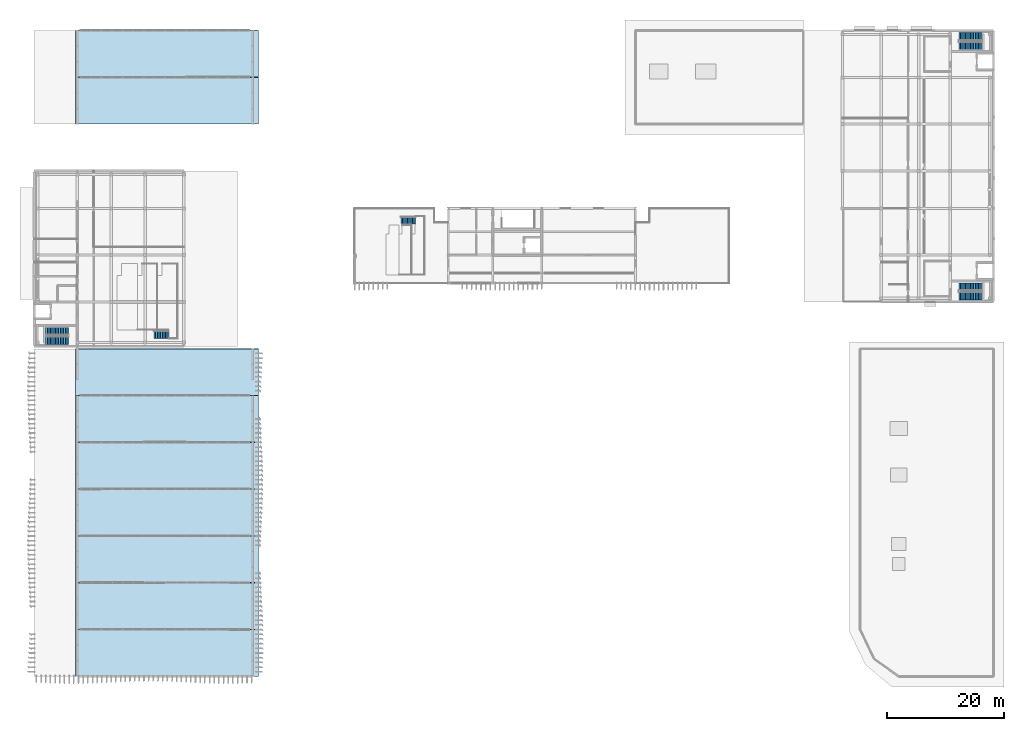
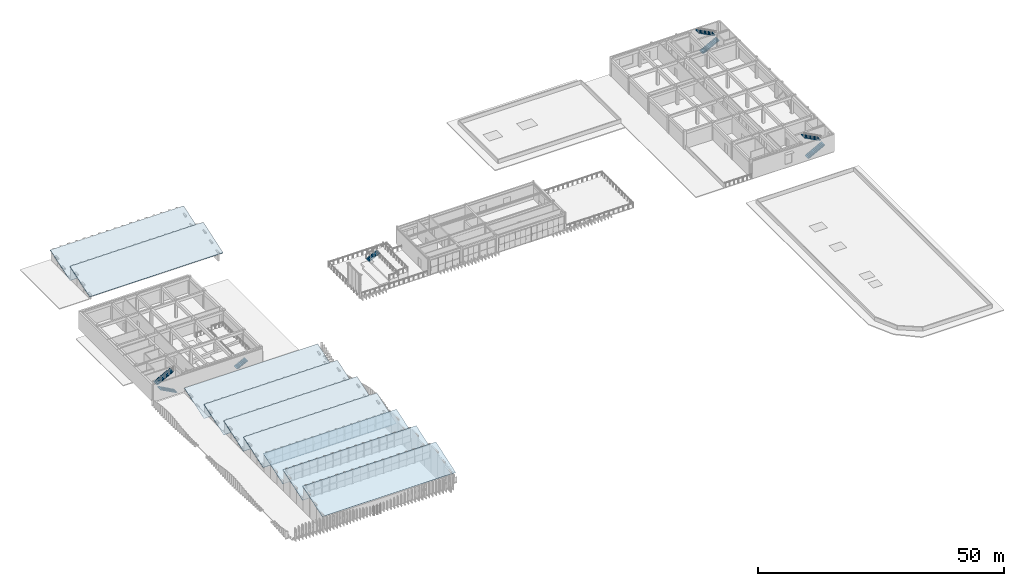
# One storey, part 32 of 45: 9 roofs, 8 stair flights, 5 elements without a shape of their own.
"""IFC4 building model written with IfcOpenShell, lengths in metres."""

from ifc_helpers import new_model, si_unit, direction, frame, origin, place, context, subcontext, project, spatial, polyline, outline, extrude, material, type_object, element, aggregate, save


model = new_model("IFC4")

# Units and contexts
model_context = context("Model", 3, precision=1e-05, world=origin(), true_north=direction((0.0, 1.0)))
body_context = subcontext(model_context, "Body", "Model", "MODEL_VIEW")
ifc_project = project(units=[si_unit("LENGTHUNIT", "METRE"), si_unit("AREAUNIT", "SQUARE_METRE"), si_unit("VOLUMEUNIT", "CUBIC_METRE"), si_unit("PLANEANGLEUNIT", "RADIAN"), si_unit("MASSUNIT", "GRAM", prefix="KILO")], contexts=[model_context])

# Site, building, storey
site_placement = place(None, origin())
site = spatial("IfcSite", under=ifc_project, at=site_placement, CompositionType="ELEMENT")
building_placement = place(site_placement, origin())
building = spatial("IfcBuilding", under=site, at=building_placement, Name="Cinchona Park Media Centre", CompositionType="ELEMENT")
storey_placement = place(building_placement, frame((0.0, 0.0, 20.39990234375)))
storey = spatial("IfcBuildingStorey", under=building, at=storey_placement, Name="L04", CompositionType="ELEMENT", Elevation=20.39990234375)

# Stair, stair flights
ifc_material_1 = material(Name="Concrete C35/45", Category="concrete")
stair_type_1 = type_object("IfcStairType", Name="STAIR-ST1-HT45", PredefinedType="HALF_TURN_STAIR", material=ifc_material_1)
stair_1_placement = place(storey_placement, origin())
stair_1 = element("IfcStair", 1, at=stair_1_placement, inside=storey, type_object=stair_type_1, Name="Exit Stair ST1 L04", PredefinedType="HALF_TURN_STAIR")
ifc_material_2 = material(Name="Concrete C35/45", Category="concrete")
stair_flight_type_1 = type_object("IfcStairFlightType", Name="FLIGHT-ST1", PredefinedType="STRAIGHT", material=ifc_material_2)
stair_flight_1_placement = place(storey_placement, frame((166.10009765625, 72.6201171875, 0.0), z_axis=(0.0, 0.0, 1.0), x_axis=(1.0, 0.0, 0.0)))
stair_flight_1 = element("IfcStairFlight", 2, at=stair_flight_1_placement, type_object=stair_flight_type_1, Name="ST1 flight 1", NumberOfRisers=15, NumberOfTreads=14, PredefinedType="STRAIGHT", RiserHeight=0.15, TreadLength=0.28, context=body_context, shape_type="SweptSolid", body=[
    extrude(outline(polyline([(0.0, 0.0), (0.0, 0.14990234375), (0.280029296875, 0.14990234375), (0.280029296875, 0.300048828125), (0.56005859375, 0.300048828125), (0.56005859375, 0.449951171875), (0.840087890625, 0.449951171875), (0.840087890625, 0.60009765625), (1.1201171875, 0.60009765625), (1.1201171875, 0.75), (1.39990234375, 0.75), (1.39990234375, 0.89990234375), (1.679931640625, 0.89990234375), (1.679931640625, 1.050048828125), (1.9599609375, 1.050048828125), (1.9599609375, 1.199951171875), (2.239990234375, 1.199951171875), (2.239990234375, 1.35009765625), (2.52001953125, 1.35009765625), (2.52001953125, 1.5), (2.800048828125, 1.5), (2.800048828125, 1.64990234375), (3.080078125, 1.64990234375), (3.080078125, 1.800048828125), (3.360107421875, 1.800048828125), (3.360107421875, 1.949951171875), (3.639892578125, 1.949951171875), (3.639892578125, 2.10009765625), (3.919921875, 2.10009765625), (3.919921875, 2.25), (3.919921875, 1.918701171875), (0.338623046875, 0.0), (0.0, 0.0)])), frame((0.0, 0.68017578125, 0.0), z_axis=(0.0, -1.0, 0.0), x_axis=(1.0, 0.0, 0.0)), (0.0, 0.0, 1.0), 1.360107421875),
])
stair_flight_2_placement = place(storey_placement, frame((170.02001953125, 74.179931640625, 2.25), z_axis=(0.0, 0.0, 1.0), x_axis=(-1.0, 0.0, 0.0)))
stair_flight_2 = element("IfcStairFlight", 3, at=stair_flight_2_placement, type_object=stair_flight_type_1, Name="ST1 flight 2", NumberOfRisers=15, NumberOfTreads=14, PredefinedType="STRAIGHT", RiserHeight=0.15, TreadLength=0.28, context=body_context, shape_type="SweptSolid", body=[
    extrude(outline(polyline([(0.0, 0.0), (0.0, 0.14990234375), (0.280029296875, 0.14990234375), (0.280029296875, 0.300048828125), (0.56005859375, 0.300048828125), (0.56005859375, 0.449951171875), (0.840087890625, 0.449951171875), (0.840087890625, 0.60009765625), (1.1201171875, 0.60009765625), (1.1201171875, 0.75), (1.39990234375, 0.75), (1.39990234375, 0.89990234375), (1.679931640625, 0.89990234375), (1.679931640625, 1.050048828125), (1.9599609375, 1.050048828125), (1.9599609375, 1.199951171875), (2.239990234375, 1.199951171875), (2.239990234375, 1.35009765625), (2.52001953125, 1.35009765625), (2.52001953125, 1.5), (2.800048828125, 1.5), (2.800048828125, 1.64990234375), (3.080078125, 1.64990234375), (3.080078125, 1.800048828125), (3.360107421875, 1.800048828125), (3.360107421875, 1.949951171875), (3.639892578125, 1.949951171875), (3.639892578125, 2.10009765625), (3.919921875, 2.10009765625), (3.919921875, 2.25), (3.919921875, 1.918701171875), (0.338623046875, 0.0), (0.0, 0.0)])), frame((0.0, 0.68017578125, 0.0), z_axis=(0.0, -1.0, 0.0), x_axis=(1.0, 0.0, 0.0)), (0.0, 0.0, 1.0), 1.360107421875),
])
aggregate(stair_1, [stair_flight_1, stair_flight_2])

ifc_material_3 = material(Name="Concrete C35/45", Category="concrete")
stair_type_2 = type_object("IfcStairType", Name="STAIR-ST2-HT45", PredefinedType="HALF_TURN_STAIR", material=ifc_material_3)
stair_2_placement = place(storey_placement, origin())
stair_2 = element("IfcStair", 4, at=stair_2_placement, inside=storey, type_object=stair_type_2, Name="Exit Stair ST2 L04", PredefinedType="HALF_TURN_STAIR")
ifc_material_4 = material(Name="Concrete C35/45", Category="concrete")
stair_flight_type_2 = type_object("IfcStairFlightType", Name="FLIGHT-ST2", PredefinedType="STRAIGHT", material=ifc_material_4)
stair_flight_3_placement = place(storey_placement, frame((166.10009765625, 115.419921875, 0.0), z_axis=(0.0, 0.0, 1.0), x_axis=(1.0, 0.0, 0.0)))
stair_flight_3 = element("IfcStairFlight", 5, at=stair_flight_3_placement, type_object=stair_flight_type_2, Name="ST2 flight 1", NumberOfRisers=15, NumberOfTreads=14, PredefinedType="STRAIGHT", RiserHeight=0.15, TreadLength=0.28, context=body_context, shape_type="SweptSolid", body=[
    extrude(outline(polyline([(0.0, 0.0), (0.0, 0.14990234375), (0.280029296875, 0.14990234375), (0.280029296875, 0.300048828125), (0.56005859375, 0.300048828125), (0.56005859375, 0.449951171875), (0.840087890625, 0.449951171875), (0.840087890625, 0.60009765625), (1.1201171875, 0.60009765625), (1.1201171875, 0.75), (1.39990234375, 0.75), (1.39990234375, 0.89990234375), (1.679931640625, 0.89990234375), (1.679931640625, 1.050048828125), (1.9599609375, 1.050048828125), (1.9599609375, 1.199951171875), (2.239990234375, 1.199951171875), (2.239990234375, 1.35009765625), (2.52001953125, 1.35009765625), (2.52001953125, 1.5), (2.800048828125, 1.5), (2.800048828125, 1.64990234375), (3.080078125, 1.64990234375), (3.080078125, 1.800048828125), (3.360107421875, 1.800048828125), (3.360107421875, 1.949951171875), (3.639892578125, 1.949951171875), (3.639892578125, 2.10009765625), (3.919921875, 2.10009765625), (3.919921875, 2.25), (3.919921875, 1.918701171875), (0.338623046875, 0.0), (0.0, 0.0)])), frame((0.0, 0.68017578125, 0.0), z_axis=(0.0, -1.0, 0.0), x_axis=(1.0, 0.0, 0.0)), (0.0, 0.0, 1.0), 1.360107421875),
])
stair_flight_4_placement = place(storey_placement, frame((170.02001953125, 116.97998046875, 2.25), z_axis=(0.0, 0.0, 1.0), x_axis=(-1.0, 0.0, 0.0)))
stair_flight_4 = element("IfcStairFlight", 6, at=stair_flight_4_placement, type_object=stair_flight_type_2, Name="ST2 flight 2", NumberOfRisers=15, NumberOfTreads=14, PredefinedType="STRAIGHT", RiserHeight=0.15, TreadLength=0.28, context=body_context, shape_type="SweptSolid", body=[
    extrude(outline(polyline([(0.0, 0.0), (0.0, 0.14990234375), (0.280029296875, 0.14990234375), (0.280029296875, 0.300048828125), (0.56005859375, 0.300048828125), (0.56005859375, 0.449951171875), (0.840087890625, 0.449951171875), (0.840087890625, 0.60009765625), (1.1201171875, 0.60009765625), (1.1201171875, 0.75), (1.39990234375, 0.75), (1.39990234375, 0.89990234375), (1.679931640625, 0.89990234375), (1.679931640625, 1.050048828125), (1.9599609375, 1.050048828125), (1.9599609375, 1.199951171875), (2.239990234375, 1.199951171875), (2.239990234375, 1.35009765625), (2.52001953125, 1.35009765625), (2.52001953125, 1.5), (2.800048828125, 1.5), (2.800048828125, 1.64990234375), (3.080078125, 1.64990234375), (3.080078125, 1.800048828125), (3.360107421875, 1.800048828125), (3.360107421875, 1.949951171875), (3.639892578125, 1.949951171875), (3.639892578125, 2.10009765625), (3.919921875, 2.10009765625), (3.919921875, 2.25), (3.919921875, 1.918701171875), (0.338623046875, 0.0), (0.0, 0.0)])), frame((0.0, 0.68017578125, 0.0), z_axis=(0.0, -1.0, 0.0), x_axis=(1.0, 0.0, 0.0)), (0.0, 0.0, 1.0), 1.360107421875),
])
aggregate(stair_2, [stair_flight_3, stair_flight_4])

ifc_material_5 = material(Name="Concrete C35/45", Category="concrete")
stair_type_3 = type_object("IfcStairType", Name="STAIR-ST3-HT45", PredefinedType="HALF_TURN_STAIR", material=ifc_material_5)
stair_3_placement = place(storey_placement, origin())
stair_3 = element("IfcStair", 7, at=stair_3_placement, inside=storey, type_object=stair_type_3, Name="Exit Stair ST3 L04", PredefinedType="HALF_TURN_STAIR")
ifc_material_6 = material(Name="Concrete C35/45", Category="concrete")
stair_flight_type_3 = type_object("IfcStairFlightType", Name="FLIGHT-ST3", PredefinedType="STRAIGHT", material=ifc_material_6)
stair_flight_5_placement = place(storey_placement, frame((13.89990234375, 65.02001953125, 0.0), z_axis=(0.0, 0.0, 1.0), x_axis=(-1.0, 0.0, 0.0)))
stair_flight_5 = element("IfcStairFlight", 8, at=stair_flight_5_placement, type_object=stair_flight_type_3, Name="ST3 flight 1", NumberOfRisers=15, NumberOfTreads=14, PredefinedType="STRAIGHT", RiserHeight=0.15, TreadLength=0.28, context=body_context, shape_type="SweptSolid", body=[
    extrude(outline(polyline([(0.0, 0.0), (0.0, 0.14990234375), (0.280029296875, 0.14990234375), (0.280029296875, 0.300048828125), (0.56005859375, 0.300048828125), (0.56005859375, 0.449951171875), (0.840087890625, 0.449951171875), (0.840087890625, 0.60009765625), (1.1201171875, 0.60009765625), (1.1201171875, 0.75), (1.39990234375, 0.75), (1.39990234375, 0.89990234375), (1.679931640625, 0.89990234375), (1.679931640625, 1.050048828125), (1.9599609375, 1.050048828125), (1.9599609375, 1.199951171875), (2.239990234375, 1.199951171875), (2.239990234375, 1.35009765625), (2.52001953125, 1.35009765625), (2.52001953125, 1.5), (2.800048828125, 1.5), (2.800048828125, 1.64990234375), (3.080078125, 1.64990234375), (3.080078125, 1.800048828125), (3.360107421875, 1.800048828125), (3.360107421875, 1.949951171875), (3.639892578125, 1.949951171875), (3.639892578125, 2.10009765625), (3.919921875, 2.10009765625), (3.919921875, 2.25), (3.919921875, 1.918701171875), (0.338623046875, 0.0), (0.0, 0.0)])), frame((0.0, 0.68017578125, 0.0), z_axis=(0.0, -1.0, 0.0), x_axis=(1.0, 0.0, 0.0)), (0.0, 0.0, 1.0), 1.360107421875),
])
stair_flight_6_placement = place(storey_placement, frame((9.97998046875, 66.580078125, 2.25), z_axis=(0.0, 0.0, 1.0), x_axis=(1.0, 0.0, 0.0)))
stair_flight_6 = element("IfcStairFlight", 9, at=stair_flight_6_placement, type_object=stair_flight_type_3, Name="ST3 flight 2", NumberOfRisers=15, NumberOfTreads=14, PredefinedType="STRAIGHT", RiserHeight=0.15, TreadLength=0.28, context=body_context, shape_type="SweptSolid", body=[
    extrude(outline(polyline([(0.0, 0.0), (0.0, 0.14990234375), (0.280029296875, 0.14990234375), (0.280029296875, 0.300048828125), (0.56005859375, 0.300048828125), (0.56005859375, 0.449951171875), (0.840087890625, 0.449951171875), (0.840087890625, 0.60009765625), (1.1201171875, 0.60009765625), (1.1201171875, 0.75), (1.39990234375, 0.75), (1.39990234375, 0.89990234375), (1.679931640625, 0.89990234375), (1.679931640625, 1.050048828125), (1.9599609375, 1.050048828125), (1.9599609375, 1.199951171875), (2.239990234375, 1.199951171875), (2.239990234375, 1.35009765625), (2.52001953125, 1.35009765625), (2.52001953125, 1.5), (2.800048828125, 1.5), (2.800048828125, 1.64990234375), (3.080078125, 1.64990234375), (3.080078125, 1.800048828125), (3.360107421875, 1.800048828125), (3.360107421875, 1.949951171875), (3.639892578125, 1.949951171875), (3.639892578125, 2.10009765625), (3.919921875, 2.10009765625), (3.919921875, 2.25), (3.919921875, 1.918701171875), (0.338623046875, 0.0), (0.0, 0.0)])), frame((0.0, 0.68017578125, 0.0), z_axis=(0.0, -1.0, 0.0), x_axis=(1.0, 0.0, 0.0)), (0.0, 0.0, 1.0), 1.360107421875),
])
aggregate(stair_3, [stair_flight_5, stair_flight_6])

# Stair, stair flight
ifc_material_7 = material(Name="Concrete C35/45", Category="concrete")
stair_type_4 = type_object("IfcStairType", Name="STAIR-SVM6", PredefinedType="STRAIGHT_RUN_STAIR", material=ifc_material_7)
stair_4_placement = place(storey_placement, origin())
stair_4 = element("IfcStair", 10, at=stair_4_placement, inside=storey, type_object=stair_type_4, Name="Auditorium Vomitory Stair SVM6 L04", PredefinedType="STRAIGHT_RUN_STAIR")
ifc_material_8 = material(Name="Concrete C35/45", Category="concrete")
stair_flight_type_4 = type_object("IfcStairFlightType", Name="FLIGHT-SVM6", PredefinedType="STRAIGHT", material=ifc_material_8)
stair_flight_7_placement = place(storey_placement, frame((28.52001953125, 66.050048828125, 0.0), z_axis=(0.0, 0.0, 1.0), x_axis=(1.0, 0.0, 0.0)))
stair_flight_7 = element("IfcStairFlight", 11, at=stair_flight_7_placement, type_object=stair_flight_type_4, Name="SVM6 flight 1", NumberOfRisers=10, NumberOfTreads=9, PredefinedType="STRAIGHT", RiserHeight=0.144, TreadLength=0.28, context=body_context, shape_type="SweptSolid", body=[
    extrude(outline(polyline([(0.0, 0.0), (0.0, 0.14404296875), (0.280029296875, 0.14404296875), (0.280029296875, 0.2880859375), (0.56005859375, 0.2880859375), (0.56005859375, 0.431884765625), (0.840087890625, 0.431884765625), (0.840087890625, 0.575927734375), (1.1201171875, 0.575927734375), (1.1201171875, 0.719970703125), (1.39990234375, 0.719970703125), (1.39990234375, 0.864013671875), (1.679931640625, 0.864013671875), (1.679931640625, 1.008056640625), (1.9599609375, 1.008056640625), (1.9599609375, 1.152099609375), (2.239990234375, 1.152099609375), (2.239990234375, 1.2958984375), (2.52001953125, 1.2958984375), (2.52001953125, 1.43994140625), (2.52001953125, 1.1162109375), (0.349609375, 0.0), (0.0, 0.0)])), frame((0.0, 0.64990234375, 0.0), z_axis=(0.0, -1.0, 0.0), x_axis=(1.0, 0.0, 0.0)), (0.0, 0.0, 1.0), 1.300048828125),
])
aggregate(stair_4, [stair_flight_7])

ifc_material_9 = material(Name="Concrete C35/45", Category="concrete")
stair_type_5 = type_object("IfcStairType", Name="STAIR-SVM8", PredefinedType="STRAIGHT_RUN_STAIR", material=ifc_material_9)
stair_5_placement = place(storey_placement, origin())
stair_5 = element("IfcStair", 12, at=stair_5_placement, inside=storey, type_object=stair_type_5, Name="Auditorium Vomitory Stair SVM8 L04", PredefinedType="STRAIGHT_RUN_STAIR")
ifc_material_10 = material(Name="Concrete C35/45", Category="concrete")
stair_flight_type_5 = type_object("IfcStairFlightType", Name="FLIGHT-SVM8", PredefinedType="STRAIGHT", material=ifc_material_10)
stair_flight_8_placement = place(storey_placement, frame((70.719970703125, 85.550048828125, 0.0), z_axis=(0.0, 0.0, 1.0), x_axis=(1.0, 0.0, 0.0)))
stair_flight_8 = element("IfcStairFlight", 13, at=stair_flight_8_placement, type_object=stair_flight_type_5, Name="SVM8 flight 1", NumberOfRisers=10, NumberOfTreads=9, PredefinedType="STRAIGHT", RiserHeight=0.144, TreadLength=0.28, context=body_context, shape_type="SweptSolid", body=[
    extrude(outline(polyline([(0.0, 0.0), (0.0, 0.14404296875), (0.280029296875, 0.14404296875), (0.280029296875, 0.2880859375), (0.56005859375, 0.2880859375), (0.56005859375, 0.431884765625), (0.840087890625, 0.431884765625), (0.840087890625, 0.575927734375), (1.1201171875, 0.575927734375), (1.1201171875, 0.719970703125), (1.39990234375, 0.719970703125), (1.39990234375, 0.864013671875), (1.679931640625, 0.864013671875), (1.679931640625, 1.008056640625), (1.9599609375, 1.008056640625), (1.9599609375, 1.152099609375), (2.239990234375, 1.152099609375), (2.239990234375, 1.2958984375), (2.52001953125, 1.2958984375), (2.52001953125, 1.43994140625), (2.52001953125, 1.1162109375), (0.349609375, 0.0), (0.0, 0.0)])), frame((0.0, 0.60009765625, 0.0), z_axis=(0.0, -1.0, 0.0), x_axis=(1.0, 0.0, 0.0)), (0.0, 0.0, 1.0), 1.199951171875),
])
aggregate(stair_5, [stair_flight_8])

# Roofs
ifc_material_11 = material(Name="Steel S355", Category="steel")
roof_type = type_object("IfcRoofType", Name="SAWTOOTH-ROOF-SHED01", PredefinedType="SHED_ROOF", material=ifc_material_11)
for number, where, z_axis, x_axis, name in (
    (14, (15.10009765625, 7.60009765625, 3.2421875), (0.0, -0.319773452474, 0.947494031165), (1.0, 0.0, 0.0), "North-Light Sawtooth Roof V1 Bay 1"),
    (15, (15.10009765625, 15.60009765625, 2.442138671875), (0.0, -0.319773452474, 0.947494031165), (1.0, 0.0, 0.0), "North-Light Sawtooth Roof V1 Bay 2"),
    (16, (15.10009765625, 23.60009765625, 1.64208984375), (0.0, -0.319773452474, 0.947494031165), (1.0, 0.0, 0.0), "North-Light Sawtooth Roof V1 Bay 3"),
    (17, (15.10009765625, 31.60009765625, 0.842041015625), (0.0, -0.319773452474, 0.947494031165), (1.0, 0.0, 0.0), "North-Light Sawtooth Roof V1 Bay 4"),
):
    element("IfcRoof", number, at=place(storey_placement, frame(where, z_axis=z_axis, x_axis=x_axis)), inside=storey, type_object=roof_type, Name=name, PredefinedType="SHED_ROOF", context=body_context, shape_type="SweptSolid", body=[
        extrude(outline(polyline([(0.0, 0.0), (31.25, 0.0), (31.25, 8.443324957059819), (0.0, 8.443324957059819), (0.0, 0.0)])), origin(), (0.0, 0.0, -1.0), 0.080078125),
    ])
roof_placement = place(storey_placement, frame((15.10009765625, 39.60009765625, 0.0419921875), z_axis=(0.0, -0.319799410609, 0.947485270057), x_axis=(1.0, 0.0, 0.0)))
element("IfcRoof", 18, at=roof_placement, inside=storey, type_object=roof_type, Name="North-Light Sawtooth Roof V1 Bay 5", PredefinedType="SHED_ROOF", context=body_context, shape_type="SweptSolid", body=[
    extrude(outline(polyline([(0.0, 0.0), (31.25, 0.0), (31.25, 8.443403029919095), (0.0, 8.443403029919095), (0.0, 0.0)])), origin(), (0.0, 0.0, -1.0), 0.080078125),
])
for number, where, z_axis, x_axis, name in (
    (19, (15.10009765625, 47.60009765625, -0.7578125), (0.0, -0.319773452474, 0.947494031165), (1.0, 0.0, 0.0), "North-Light Sawtooth Roof V1 Bay 6"),
    (20, (15.10009765625, 55.60009765625, -1.557861328125), (0.0, -0.319773452474, 0.947494031165), (1.0, 0.0, 0.0), "North-Light Sawtooth Roof V1 Bay 7"),
    (21, (15.10009765625, 102.0, 0.442138671875), (0.0, -0.319773452474, 0.947494031165), (1.0, 0.0, 0.0), "North-Light Sawtooth Roof V2 Bay 1"),
    (22, (15.10009765625, 110.0, -0.35791015625), (0.0, -0.319773452474, 0.947494031165), (1.0, 0.0, 0.0), "North-Light Sawtooth Roof V2 Bay 2"),
):
    element("IfcRoof", number, at=place(storey_placement, frame(where, z_axis=z_axis, x_axis=x_axis)), inside=storey, type_object=roof_type, Name=name, PredefinedType="SHED_ROOF", context=body_context, shape_type="SweptSolid", body=[
        extrude(outline(polyline([(0.0, 0.0), (31.25, 0.0), (31.25, 8.443324957059819), (0.0, 8.443324957059819), (0.0, 0.0)])), origin(), (0.0, 0.0, -1.0), 0.080078125),
    ])

save(model, "model.ifc")
